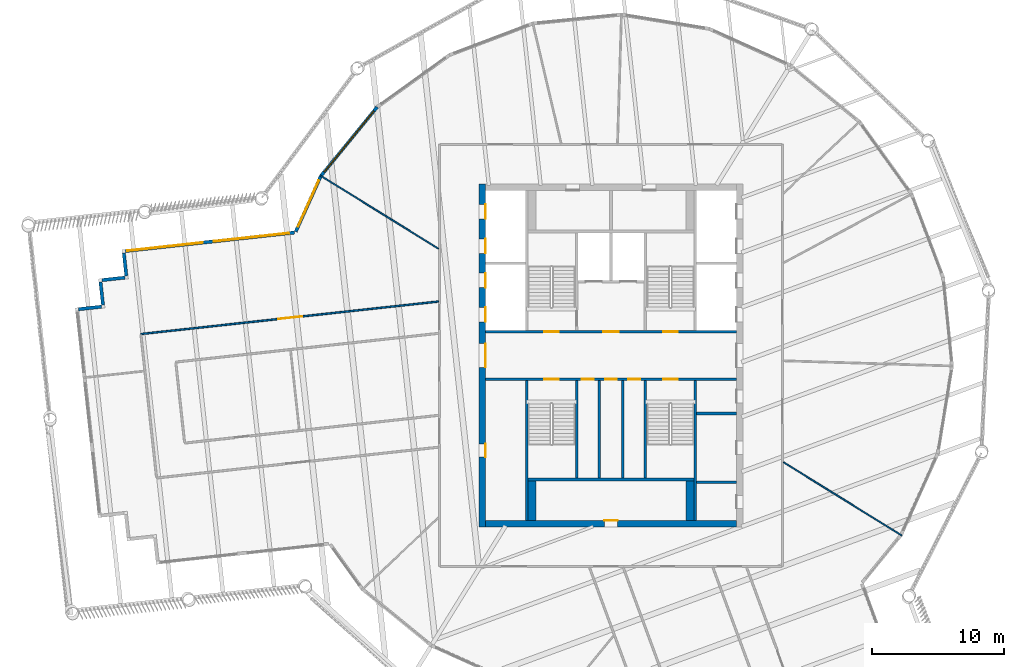
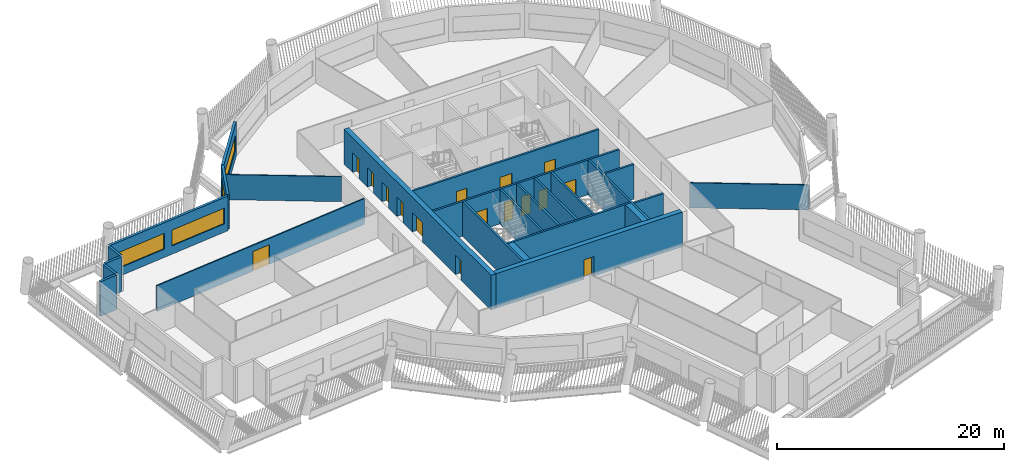
# One storey, part 4 of 14: 25 walls, 16 doors, 4 windows, 20 openings.
"""IFC4 building model written with IfcOpenShell, lengths in metres."""

from ifc_helpers import new_model, si_unit, direction, frame, frame_2d, origin, place, context, subcontext, project, spatial, rectangle, extrude, material, layer, layer_set, type_object, element, fill, save


model = new_model("IFC4")

# Units and contexts
model_context = context("Model", 3, precision=1e-05, world=origin(), true_north=direction((0.0, 1.0)))
body_context = subcontext(model_context, "Body", "Model", "MODEL_VIEW")
ifc_project = project(units=[si_unit("LENGTHUNIT", "METRE"), si_unit("AREAUNIT", "SQUARE_METRE"), si_unit("VOLUMEUNIT", "CUBIC_METRE"), si_unit("PLANEANGLEUNIT", "RADIAN"), si_unit("MASSUNIT", "GRAM", prefix="KILO")], contexts=[model_context])

# Site, building, storey
site_placement = place(None, origin())
site = spatial("IfcSite", under=ifc_project, at=site_placement, CompositionType="ELEMENT")
building_placement = place(site_placement, origin())
building = spatial("IfcBuilding", under=site, at=building_placement, Name="Tarsis Ring Headquarters", CompositionType="ELEMENT")
storey_placement = place(building_placement, frame((0.0, 0.0, 311.89990234375)))
storey = spatial("IfcBuildingStorey", under=building, at=storey_placement, Name="L73", CompositionType="ELEMENT", Elevation=311.89990234375)

# Walls
ifc_material_1 = material(Name="Blockwork", Category="masonry")
ifc_layer_1 = layer(ifc_material_1, 0.199951171875)
ifc_layer_set_1 = layer_set([ifc_layer_1], Name="Core blockwork wall 200")
wall_type_1 = type_object("IfcWallType", Name="Core blockwork wall 200", PredefinedType="PARTITIONING", material=ifc_layer_set_1)
for number, where, z_axis, x_axis, name in (
    (1, (6.5, -9.60009765625, 0.0), (0.0, 0.0, 1.0), (1.0, 0.0, 0.0), "Core partition ED1"),
    (2, (6.5, -4.39990234375, 0.0), (0.0, 0.0, 1.0), (1.0, 0.0, 0.0), "Core partition ED3"),
):
    element("IfcWall", number, at=place(storey_placement, frame(where, z_axis=z_axis, x_axis=x_axis)), inside=storey, type_object=wall_type_1, Name=name, PredefinedType="PARTITIONING", context=body_context, shape_type="SweptSolid", body=[
        extrude(rectangle(XDim=3.0, YDim=0.199951171875, at=frame_2d((1.5, 0.0))), origin(), (0.0, 0.0, 1.0), 3.739990234375),
    ])
for number, where, z_axis, x_axis, name in (
    (3, (-0.89990234375, -9.300048828125, 0.0), (0.0, 0.0, 1.0), (0.0, 1.0, 0.0), "Core partition SV1"),
    (4, (0.89990234375, -9.300048828125, 0.0), (0.0, 0.0, 1.0), (0.0, 1.0, 0.0), "Core partition SV2"),
):
    element("IfcWall", number, at=place(storey_placement, frame(where, z_axis=z_axis, x_axis=x_axis)), inside=storey, type_object=wall_type_1, Name=name, PredefinedType="PARTITIONING", context=body_context, shape_type="SweptSolid", body=[
        extrude(rectangle(XDim=7.400146484375, YDim=0.199951171875, at=frame_2d((3.7001953125, 0.0))), origin(), (0.0, 0.0, 1.0), 3.739990234375),
    ])

# Wall, openings, doors
ifc_material_2 = material(Name="Concrete C50/60", Category="concrete")
ifc_layer_2 = layer(ifc_material_2, 0.5)
ifc_layer_set_2 = layer_set([ifc_layer_2], Name="Core wall 500 C50/60")
wall_type_2 = type_object("IfcWallType", Name="Core wall 500 C50/60", PredefinedType="SHEAR", material=ifc_layer_set_2)
wall_1_placement = place(storey_placement, frame((-9.75, -13.0, 0.0), z_axis=(0.0, 0.0, 1.0), x_axis=(0.0, 1.0, 0.0)))
wall_1 = element("IfcWall", 5, at=wall_1_placement, inside=storey, type_object=wall_type_2, Name="Core wall OW", PredefinedType="SHEAR", context=body_context, shape_type="SweptSolid", body=[
    extrude(rectangle(XDim=26.0, YDim=0.5, at=frame_2d((13.0, 0.0))), origin(), (0.0, 0.0, 1.0), 3.739990234375),
])
opening_1_placement = place(wall_1_placement, frame((5.300048828125, 0.0, 0.0)))
opening_1 = element("IfcOpeningElement", 6, at=opening_1_placement, cuts=wall_1, Name="Opening L73-C01", PredefinedType="OPENING", context=body_context, shape_type="SweptSolid", body=[
    extrude(rectangle(XDim=1.0, YDim=2.10009765625, at=frame_2d((0.5, 1.050048828125))), frame((0.0, 0.260009765625, 0.0), z_axis=(0.0, -1.0, 0.0), x_axis=(1.0, 0.0, 0.0)), (0.0, 0.0, 1.0), 0.52001953125),
])
opening_2_placement = place(wall_1_placement, frame((12.10009765625, 0.0, 0.0)))
opening_2 = element("IfcOpeningElement", 7, at=opening_2_placement, cuts=wall_1, Name="Opening L73-C02", PredefinedType="OPENING", context=body_context, shape_type="SweptSolid", body=[
    extrude(rectangle(XDim=1.800048828125, YDim=2.10009765625, at=frame_2d((0.89990234375, 1.050048828125))), frame((0.0, 0.260009765625, 0.0), z_axis=(0.0, -1.0, 0.0), x_axis=(1.0, 0.0, 0.0)), (0.0, 0.0, 1.0), 0.52001953125),
])
opening_3_placement = place(wall_1_placement, frame((15.550048828125, 0.0, 0.0)))
opening_3 = element("IfcOpeningElement", 8, at=opening_3_placement, cuts=wall_1, Name="Opening LD-HR1", PredefinedType="OPENING", context=body_context, shape_type="SweptSolid", body=[
    extrude(rectangle(XDim=1.10009765625, YDim=2.10009765625, at=frame_2d((0.550048828125, 1.050048828125))), frame((0.0, 0.260009765625, 0.0), z_axis=(0.0, -1.0, 0.0), x_axis=(1.0, 0.0, 0.0)), (0.0, 0.0, 1.0), 0.52001953125),
])
opening_4_placement = place(wall_1_placement, frame((18.14990234375, 0.0, 0.0)))
opening_4 = element("IfcOpeningElement", 9, at=opening_4_placement, cuts=wall_1, Name="Opening LD-HR2", PredefinedType="OPENING", context=body_context, shape_type="SweptSolid", body=[
    extrude(rectangle(XDim=1.10009765625, YDim=2.10009765625, at=frame_2d((0.550048828125, 1.050048828125))), frame((0.0, 0.260009765625, 0.0), z_axis=(0.0, -1.0, 0.0), x_axis=(1.0, 0.0, 0.0)), (0.0, 0.0, 1.0), 0.52001953125),
])
opening_5_placement = place(wall_1_placement, frame((20.75, 0.0, 0.0)))
opening_5 = element("IfcOpeningElement", 10, at=opening_5_placement, cuts=wall_1, Name="Opening LD-HR3", PredefinedType="OPENING", context=body_context, shape_type="SweptSolid", body=[
    extrude(rectangle(XDim=1.10009765625, YDim=2.10009765625, at=frame_2d((0.550048828125, 1.050048828125))), frame((0.0, 0.260009765625, 0.0), z_axis=(0.0, -1.0, 0.0), x_axis=(1.0, 0.0, 0.0)), (0.0, 0.0, 1.0), 0.52001953125),
])
opening_6_placement = place(wall_1_placement, frame((23.35009765625, 0.0, 0.0)))
opening_6 = element("IfcOpeningElement", 11, at=opening_6_placement, cuts=wall_1, Name="Opening LD-HR4", PredefinedType="OPENING", context=body_context, shape_type="SweptSolid", body=[
    extrude(rectangle(XDim=1.10009765625, YDim=2.10009765625, at=frame_2d((0.550048828125, 1.050048828125))), frame((0.0, 0.260009765625, 0.0), z_axis=(0.0, -1.0, 0.0), x_axis=(1.0, 0.0, 0.0)), (0.0, 0.0, 1.0), 0.52001953125),
])
ifc_material_3 = material(Name="Steel S355", Category="steel")
door_type_1 = type_object("IfcDoorType", Name="Core entry door 1800x2100", OperationType="DOUBLE_DOOR_SINGLE_SWING", PredefinedType="DOOR", material=ifc_material_3)
door_1_placement = place(opening_2_placement, origin())
door_1 = element("IfcDoor", 12, at=door_1_placement, inside=storey, type_object=door_type_1, Name="Core entry door L73", OperationType="DOUBLE_DOOR_SINGLE_SWING", OverallHeight=2.10009765625, OverallWidth=1.800048828125, PredefinedType="DOOR", context=body_context, shape_type="SweptSolid", body=[
    extrude(rectangle(XDim=1.800048828125, YDim=2.10009765625, at=frame_2d((0.89990234375, 1.050048828125))), frame((0.0, -0.2001953125, 0.0), z_axis=(0.0, -1.0, 0.0), x_axis=(1.0, 0.0, 0.0)), (0.0, 0.0, 1.0), 0.050048828125),
])
fill(opening_2, door_1)
door_type_2 = type_object("IfcDoorType", Name="Core room door 1000x2100", OperationType="SINGLE_SWING_LEFT", PredefinedType="DOOR", material=ifc_material_3)
door_2_placement = place(opening_1_placement, origin())
door_2 = element("IfcDoor", 13, at=door_2_placement, inside=storey, type_object=door_type_2, Name="Core room door L73", OperationType="SINGLE_SWING_LEFT", OverallHeight=2.10009765625, OverallWidth=1.0, PredefinedType="DOOR", context=body_context, shape_type="SweptSolid", body=[
    extrude(rectangle(XDim=1.0, YDim=2.10009765625, at=frame_2d((0.5, 1.050048828125))), frame((0.0, -0.2001953125, 0.0), z_axis=(0.0, -1.0, 0.0), x_axis=(1.0, 0.0, 0.0)), (0.0, 0.0, 1.0), 0.050048828125),
])
fill(opening_1, door_2)
door_type_3 = type_object("IfcDoorType", Name="Landing door 1100x2100", OperationType="SLIDING_TO_LEFT", PredefinedType="DOOR", material=ifc_material_3)
door_3_placement = place(opening_3_placement, origin())
door_3 = element("IfcDoor", 14, at=door_3_placement, inside=storey, type_object=door_type_3, Name="Landing door HR1 L73", OperationType="SLIDING_TO_LEFT", OverallHeight=2.10009765625, OverallWidth=1.10009765625, PredefinedType="DOOR", context=body_context, shape_type="SweptSolid", body=[
    extrude(rectangle(XDim=1.10009765625, YDim=2.10009765625, at=frame_2d((0.550048828125, 1.050048828125))), frame((0.0, -0.2001953125, 0.0), z_axis=(0.0, -1.0, 0.0), x_axis=(1.0, 0.0, 0.0)), (0.0, 0.0, 1.0), 0.050048828125),
])
fill(opening_3, door_3)
door_4_placement = place(opening_4_placement, origin())
door_4 = element("IfcDoor", 15, at=door_4_placement, inside=storey, type_object=door_type_3, Name="Landing door HR2 L73", OperationType="SLIDING_TO_LEFT", OverallHeight=2.10009765625, OverallWidth=1.10009765625, PredefinedType="DOOR", context=body_context, shape_type="SweptSolid", body=[
    extrude(rectangle(XDim=1.10009765625, YDim=2.10009765625, at=frame_2d((0.550048828125, 1.050048828125))), frame((0.0, -0.2001953125, 0.0), z_axis=(0.0, -1.0, 0.0), x_axis=(1.0, 0.0, 0.0)), (0.0, 0.0, 1.0), 0.050048828125),
])
fill(opening_4, door_4)
door_5_placement = place(opening_5_placement, origin())
door_5 = element("IfcDoor", 16, at=door_5_placement, inside=storey, type_object=door_type_3, Name="Landing door HR3 L73", OperationType="SLIDING_TO_LEFT", OverallHeight=2.10009765625, OverallWidth=1.10009765625, PredefinedType="DOOR", context=body_context, shape_type="SweptSolid", body=[
    extrude(rectangle(XDim=1.10009765625, YDim=2.10009765625, at=frame_2d((0.550048828125, 1.050048828125))), frame((0.0, -0.2001953125, 0.0), z_axis=(0.0, -1.0, 0.0), x_axis=(1.0, 0.0, 0.0)), (0.0, 0.0, 1.0), 0.050048828125),
])
fill(opening_5, door_5)
door_6_placement = place(opening_6_placement, origin())
door_6 = element("IfcDoor", 17, at=door_6_placement, inside=storey, type_object=door_type_3, Name="Landing door HR4 L73", OperationType="SLIDING_TO_LEFT", OverallHeight=2.10009765625, OverallWidth=1.10009765625, PredefinedType="DOOR", context=body_context, shape_type="SweptSolid", body=[
    extrude(rectangle(XDim=1.10009765625, YDim=2.10009765625, at=frame_2d((0.550048828125, 1.050048828125))), frame((0.0, -0.2001953125, 0.0), z_axis=(0.0, -1.0, 0.0), x_axis=(1.0, 0.0, 0.0)), (0.0, 0.0, 1.0), 0.050048828125),
])
fill(opening_6, door_6)

# Wall, opening, door
wall_2_placement = place(storey_placement, frame((-9.5, -12.75, 0.0), z_axis=(0.0, 0.0, 1.0), x_axis=(1.0, 0.0, 0.0)))
wall_2 = element("IfcWall", 18, at=wall_2_placement, inside=storey, type_object=wall_type_2, Name="Core wall OS", PredefinedType="SHEAR", context=body_context, shape_type="SweptSolid", body=[
    extrude(rectangle(XDim=19.0, YDim=0.5, at=frame_2d((9.5, 0.0))), origin(), (0.0, 0.0, 1.0), 3.739990234375),
])
opening_7_placement = place(wall_2_placement, frame((9.0, 0.0, 0.0)))
opening_7 = element("IfcOpeningElement", 19, at=opening_7_placement, cuts=wall_2, Name="Opening L73-C17", PredefinedType="OPENING", context=body_context, shape_type="SweptSolid", body=[
    extrude(rectangle(XDim=1.0, YDim=2.10009765625, at=frame_2d((0.5, 1.050048828125))), frame((0.0, 0.260009765625, 0.0), z_axis=(0.0, -1.0, 0.0), x_axis=(1.0, 0.0, 0.0)), (0.0, 0.0, 1.0), 0.52001953125),
])
door_7_placement = place(opening_7_placement, origin())
door_7 = element("IfcDoor", 20, at=door_7_placement, inside=storey, type_object=door_type_2, Name="Core room door L73", OperationType="SINGLE_SWING_LEFT", OverallHeight=2.10009765625, OverallWidth=1.0, PredefinedType="DOOR", context=body_context, shape_type="SweptSolid", body=[
    extrude(rectangle(XDim=1.0, YDim=2.10009765625, at=frame_2d((0.5, 1.050048828125))), frame((0.0, 0.25, 0.0), z_axis=(0.0, -1.0, 0.0), x_axis=(1.0, 0.0, 0.0)), (0.0, 0.0, 1.0), 0.050048828125),
])
fill(opening_7, door_7)

# Walls
ifc_material_4 = material(Name="Gypsum board on steel studs", Category="steel")
ifc_layer_3 = layer(ifc_material_4, 0.10009765625)
ifc_layer_set_3 = layer_set([ifc_layer_3], Name="FL partition 100 unrated")
wall_type_3 = type_object("IfcWallType", Name="FL partition 100 unrated", PredefinedType="PARTITIONING", material=ifc_layer_set_3)
for number, where, z_axis, x_axis, name in (
    (21, (13.076416015625, -8.09521484375, 0.0), (0.0, 0.0, 1.0), (0.850268100537, -0.526349842984, 0.0), "Partition PW3"),
    (22, (-22.0625, 13.657958984375, 0.0), (0.0, 0.0, 1.0), (0.850268100537, -0.526349842984, 0.0), "Partition PW3"),
):
    element("IfcWall", number, at=place(storey_placement, frame(where, z_axis=z_axis, x_axis=x_axis)), inside=storey, type_object=wall_type_3, Name=name, PredefinedType="PARTITIONING", context=body_context, shape_type="SweptSolid", body=[
        extrude(rectangle(XDim=10.568603515625, YDim=0.10009765625, at=frame_2d((5.2841796875, 0.0))), origin(), (0.0, 0.0, 1.0), 2.7001953125),
    ])

# Wall, opening, door
ifc_layer_4 = layer(ifc_material_4, 0.125)
ifc_layer_set_4 = layer_set([ifc_layer_4], Name="FL partition 125 EI 60 H2770")
wall_type_4 = type_object("IfcWallType", Name="FL partition 125 EI 60 H2770", PredefinedType="PARTITIONING", material=ifc_layer_set_4)
wall_3_placement = place(storey_placement, frame((-35.647705078125, 1.625, 0.0), z_axis=(0.0, 0.0, 1.0), x_axis=(0.994075176592, 0.108694725191, 0.0)))
wall_3 = element("IfcWall", 23, at=wall_3_placement, inside=storey, type_object=wall_type_4, Name="Partition PW1", PredefinedType="PARTITIONING", context=body_context, shape_type="SweptSolid", body=[
    extrude(rectangle(XDim=22.712646484375, YDim=0.125, at=frame_2d((11.3564453125, 0.0))), origin(), (0.0, 0.0, 1.0), 2.77001953125),
])
opening_8_placement = place(wall_3_placement, frame((10.491455078125, 0.0, 0.0)))
opening_8 = element("IfcOpeningElement", 24, at=opening_8_placement, cuts=wall_3, Name="Opening D73.02", PredefinedType="OPENING", context=body_context, shape_type="SweptSolid", body=[
    extrude(rectangle(XDim=1.800048828125, YDim=2.10009765625, at=frame_2d((0.89990234375, 1.050048828125))), frame((0.0, 0.072509765625, 0.0), z_axis=(0.0, -1.0, 0.0), x_axis=(1.0, 0.0, 0.0)), (0.0, 0.0, 1.0), 0.14501953125),
])
ifc_material_5 = material(Name="Fire-rated timber door leaf in steel frame", Category="steel")
door_type_4 = type_object("IfcDoorType", Name="FL door FD60-1800", OperationType="DOUBLE_DOOR_SINGLE_SWING", PredefinedType="DOOR", material=ifc_material_5)
door_8_placement = place(opening_8_placement, origin())
door_8 = element("IfcDoor", 25, at=door_8_placement, inside=storey, type_object=door_type_4, Name="Door D73.02", OperationType="DOUBLE_DOOR_SINGLE_SWING", OverallHeight=2.10009765625, OverallWidth=1.800048828125, PredefinedType="DOOR", context=body_context, shape_type="SweptSolid", body=[
    extrude(rectangle(XDim=1.800048828125, YDim=2.10009765625, at=frame_2d((0.89990234375, 1.050048828125))), frame((0.0, 0.02490234375, 0.0), z_axis=(0.0, -1.0, 0.0), x_axis=(1.0, 0.0, 0.0)), (0.0, 0.0, 1.0), 0.050048828125),
])
fill(opening_8, door_8)

# Wall, opening, window
ifc_material_6 = material(Name="Terracotta clad insulated panel wall", Category="masonry")
ifc_layer_5 = layer(ifc_material_6, 0.25)
ifc_layer_set_5 = layer_set([ifc_layer_5], Name="Facade wall terracotta panel 250")
wall_type_5 = type_object("IfcWallType", Name="Facade wall terracotta panel 250", PredefinedType="STANDARD", material=ifc_layer_set_5)
wall_4_placement = place(storey_placement, frame((-17.735595703125, 18.836181640625, 0.0), z_axis=(0.0, 0.0, 1.0), x_axis=(-0.632842118957, -0.774280861493, 0.0)))
wall_4 = element("IfcWall", 26, at=wall_4_placement, inside=storey, type_object=wall_type_5, Name="External wall L73-29", PredefinedType="STANDARD", context=body_context, shape_type="SweptSolid", body=[
    extrude(rectangle(XDim=6.721435546875, YDim=0.25, at=frame_2d((3.36083984375, 0.0))), origin(), (0.0, 0.0, 1.0), 3.739990234375),
])
opening_9_placement = place(wall_4_placement, frame((0.3857421875, 0.0, 0.89990234375)))
opening_9 = element("IfcOpeningElement", 27, at=opening_9_placement, cuts=wall_4, Name="Opening WN07", PredefinedType="OPENING", context=body_context, shape_type="SweptSolid", body=[
    extrude(rectangle(XDim=5.949951171875, YDim=1.699951171875, at=frame_2d((2.97509765625, 0.85009765625))), frame((0.0, 0.135009765625, 0.0), z_axis=(0.0, -1.0, 0.0), x_axis=(1.0, 0.0, 0.0)), (0.0, 0.0, 1.0), 0.27001953125),
])
ifc_material_7 = material(Name="Aluminium framed double glazing", Category="aluminium")
window_type_1 = type_object("IfcWindowType", Name="Facade window 5950 x 1700", PartitioningType="SINGLE_PANEL", PredefinedType="WINDOW", material=ifc_material_7)
window_1_placement = place(opening_9_placement, origin())
window_1 = element("IfcWindow", 28, at=window_1_placement, inside=storey, type_object=window_type_1, Name="Window L73-29.1", OverallHeight=1.699951171875, OverallWidth=5.949951171875, PartitioningType="SINGLE_PANEL", PredefinedType="WINDOW", context=body_context, shape_type="SweptSolid", body=[
    extrude(rectangle(XDim=5.949951171875, YDim=1.699951171875, at=frame_2d((2.97509765625, 0.85009765625))), frame((0.0, 0.030029296875, 0.0), z_axis=(0.0, -1.0, 0.0), x_axis=(1.0, 0.0, 0.0)), (0.0, 0.0, 1.0), 0.06005859375),
])
fill(opening_9, window_1)

wall_5_placement = place(storey_placement, frame((-22.00634765625, 13.60400390625, 0.0), z_axis=(0.0, 0.0, 1.0), x_axis=(-0.410900994456, -0.911679972773, 0.0)))
wall_5 = element("IfcWall", 29, at=wall_5_placement, inside=storey, type_object=wall_type_5, Name="External wall L73-30", PredefinedType="STANDARD", context=body_context, shape_type="SweptSolid", body=[
    extrude(rectangle(XDim=4.617919921875, YDim=0.25, at=frame_2d((2.30908203125, 0.0))), origin(), (0.0, 0.0, 1.0), 3.739990234375),
])
opening_10_placement = place(wall_5_placement, frame((0.367431640625, 0.0, 0.89990234375)))
opening_10 = element("IfcOpeningElement", 30, at=opening_10_placement, cuts=wall_5, Name="Opening WN02", PredefinedType="OPENING", context=body_context, shape_type="SweptSolid", body=[
    extrude(rectangle(XDim=3.85009765625, YDim=1.699951171875, at=frame_2d((1.925048828125, 0.85009765625))), frame((0.0, 0.135009765625, 0.0), z_axis=(0.0, -1.0, 0.0), x_axis=(1.0, 0.0, 0.0)), (0.0, 0.0, 1.0), 0.27001953125),
])
window_type_2 = type_object("IfcWindowType", Name="Facade window 3850 x 1700", PartitioningType="SINGLE_PANEL", PredefinedType="WINDOW", material=ifc_material_7)
window_2_placement = place(opening_10_placement, origin())
window_2 = element("IfcWindow", 31, at=window_2_placement, inside=storey, type_object=window_type_2, Name="Window L73-30.1", OverallHeight=1.699951171875, OverallWidth=3.85009765625, PartitioningType="SINGLE_PANEL", PredefinedType="WINDOW", context=body_context, shape_type="SweptSolid", body=[
    extrude(rectangle(XDim=3.85009765625, YDim=1.699951171875, at=frame_2d((1.925048828125, 0.85009765625))), frame((0.0, 0.030029296875, 0.0), z_axis=(0.0, -1.0, 0.0), x_axis=(1.0, 0.0, 0.0)), (0.0, 0.0, 1.0), 0.06005859375),
])
fill(opening_10, window_2)

# Wall, openings, windows
wall_6_placement = place(storey_placement, frame((-24.004150390625, 9.321044921875, 0.0), z_axis=(0.0, 0.0, 1.0), x_axis=(-0.994076740121, -0.108680424872, 0.0)))
wall_6 = element("IfcWall", 32, at=wall_6_placement, inside=storey, type_object=wall_type_5, Name="External wall L73-31", PredefinedType="STANDARD", context=body_context, shape_type="SweptSolid", body=[
    extrude(rectangle(XDim=12.901123046875, YDim=0.25, at=frame_2d((6.45068359375, 0.0))), origin(), (0.0, 0.0, 1.0), 3.739990234375),
])
opening_11_placement = place(wall_6_placement, frame((0.412841796875, 0.0, 0.89990234375)))
opening_11 = element("IfcOpeningElement", 33, at=opening_11_placement, cuts=wall_6, Name="Opening WN06", PredefinedType="OPENING", context=body_context, shape_type="SweptSolid", body=[
    extrude(rectangle(XDim=5.75, YDim=1.699951171875, at=frame_2d((2.875, 0.85009765625))), frame((0.0, 0.135009765625, 0.0), z_axis=(0.0, -1.0, 0.0), x_axis=(1.0, 0.0, 0.0)), (0.0, 0.0, 1.0), 0.27001953125),
])
opening_12_placement = place(wall_6_placement, frame((6.988525390625, 0.0, 0.89990234375)))
opening_12 = element("IfcOpeningElement", 34, at=opening_12_placement, cuts=wall_6, Name="Opening WN06", PredefinedType="OPENING", context=body_context, shape_type="SweptSolid", body=[
    extrude(rectangle(XDim=5.75, YDim=1.699951171875, at=frame_2d((2.875, 0.85009765625))), frame((0.0, 0.135009765625, 0.0), z_axis=(0.0, -1.0, 0.0), x_axis=(1.0, 0.0, 0.0)), (0.0, 0.0, 1.0), 0.27001953125),
])
window_type_3 = type_object("IfcWindowType", Name="Facade window 5750 x 1700", PartitioningType="SINGLE_PANEL", PredefinedType="WINDOW", material=ifc_material_7)
window_3_placement = place(opening_11_placement, origin())
window_3 = element("IfcWindow", 35, at=window_3_placement, inside=storey, type_object=window_type_3, Name="Window L73-31.1", OverallHeight=1.699951171875, OverallWidth=5.75, PartitioningType="SINGLE_PANEL", PredefinedType="WINDOW", context=body_context, shape_type="SweptSolid", body=[
    extrude(rectangle(XDim=5.75, YDim=1.699951171875, at=frame_2d((2.875, 0.85009765625))), frame((0.0, 0.030029296875, 0.0), z_axis=(0.0, -1.0, 0.0), x_axis=(1.0, 0.0, 0.0)), (0.0, 0.0, 1.0), 0.06005859375),
])
fill(opening_11, window_3)
window_4_placement = place(opening_12_placement, origin())
window_4 = element("IfcWindow", 36, at=window_4_placement, inside=storey, type_object=window_type_3, Name="Window L73-31.2", OverallHeight=1.699951171875, OverallWidth=5.75, PartitioningType="SINGLE_PANEL", PredefinedType="WINDOW", context=body_context, shape_type="SweptSolid", body=[
    extrude(rectangle(XDim=5.75, YDim=1.699951171875, at=frame_2d((2.875, 0.85009765625))), frame((0.0, 0.030029296875, 0.0), z_axis=(0.0, -1.0, 0.0), x_axis=(1.0, 0.0, 0.0)), (0.0, 0.0, 1.0), 0.06005859375),
])
fill(opening_12, window_4)

# Walls
wall_7_placement = place(storey_placement, frame((-36.939697265625, 7.781005859375, 0.0), z_axis=(0.0, 0.0, 1.0), x_axis=(0.108808438717, -0.994062736282, 0.0)))
element("IfcWall", 37, at=wall_7_placement, inside=storey, type_object=wall_type_5, Name="External wall L73-32", PredefinedType="STANDARD", context=body_context, shape_type="SweptSolid", body=[
    extrude(rectangle(XDim=1.750244140625, YDim=0.25, at=frame_2d((0.875, 0.0))), origin(), (0.0, 0.0, 1.0), 3.739990234375),
])
for number, where, z_axis, x_axis, name in (
    (38, (-36.860107421875, 5.903564453125, 0.0), (0.0, 0.0, 1.0), (-0.994076167652, -0.108685660997, 0.0), "External wall L73-33"),
    (39, (-38.71044921875, 5.575439453125, 0.0), (0.0, 0.0, 1.0), (0.108685660997, -0.994076167652, 0.0), "External wall L73-34"),
    (40, (-38.630859375, 3.697998046875, 0.0), (0.0, 0.0, 1.0), (-0.994076167652, -0.108685660997, 0.0), "External wall L73-35"),
):
    element("IfcWall", number, at=place(storey_placement, frame(where, z_axis=z_axis, x_axis=x_axis)), inside=storey, type_object=wall_type_5, Name=name, PredefinedType="STANDARD", context=body_context, shape_type="SweptSolid", body=[
        extrude(rectangle(XDim=1.749755859375, YDim=0.25, at=frame_2d((0.875, 0.0))), origin(), (0.0, 0.0, 1.0), 3.739990234375),
    ])
ifc_material_8 = material(Name="Concrete C32/40", Category="concrete")
ifc_layer_6 = layer(ifc_material_8, 0.60009765625)
ifc_layer_set_6 = layer_set([ifc_layer_6], Name="Shaft end wall 600 C32/40")
wall_type_6 = type_object("IfcWallType", Name="Shaft end wall 600 C32/40", PredefinedType="SOLIDWALL", material=ifc_layer_set_6)
for number, where, z_axis, x_axis, name in (
    (41, (-6.0, -12.5, 0.0), (0.0, 0.0, 1.0), (0.0, 1.0, 0.0), "Core shaft wall SNE1"),
    (42, (6.0, -12.5, 0.0), (0.0, 0.0, 1.0), (0.0, 1.0, 0.0), "Core shaft wall SNE2"),
):
    element("IfcWall", number, at=place(storey_placement, frame(where, z_axis=z_axis, x_axis=x_axis)), inside=storey, type_object=wall_type_6, Name=name, PredefinedType="SOLIDWALL", context=body_context, shape_type="SweptSolid", body=[
        extrude(rectangle(XDim=3.0, YDim=0.60009765625, at=frame_2d((1.5, 0.0))), origin(), (0.0, 0.0, 1.0), 3.739990234375),
    ])

# Wall, openings, doors
ifc_layer_7 = layer(ifc_material_8, 0.199951171875)
ifc_layer_set_7 = layer_set([ifc_layer_7], Name="Shaft wall 200 C32/40")
wall_type_7 = type_object("IfcWallType", Name="Shaft wall 200 C32/40", PredefinedType="SOLIDWALL", material=ifc_layer_set_7)
wall_8_placement = place(storey_placement, frame((-9.5, 1.800048828125, 0.0), z_axis=(0.0, 0.0, 1.0), x_axis=(1.0, 0.0, 0.0)))
wall_8 = element("IfcWall", 43, at=wall_8_placement, inside=storey, type_object=wall_type_7, Name="Core shaft wall CN", PredefinedType="SOLIDWALL", context=body_context, shape_type="SweptSolid", body=[
    extrude(rectangle(XDim=19.0, YDim=0.199951171875, at=frame_2d((9.5, 0.0))), origin(), (0.0, 0.0, 1.0), 3.739990234375),
])
opening_13_placement = place(wall_8_placement, frame((4.449951171875, 0.0, 0.0)))
opening_13 = element("IfcOpeningElement", 44, at=opening_13_placement, cuts=wall_8, Name="Opening L73-C18", PredefinedType="OPENING", context=body_context, shape_type="SweptSolid", body=[
    extrude(rectangle(XDim=1.10009765625, YDim=2.10009765625, at=frame_2d((0.550048828125, 1.050048828125))), frame((0.0, 0.10986328125, 0.0), z_axis=(0.0, -1.0, 0.0), x_axis=(1.0, 0.0, 0.0)), (0.0, 0.0, 1.0), 0.219970703125),
])
opening_14_placement = place(wall_8_placement, frame((8.89990234375, 0.0, 0.0)))
opening_14 = element("IfcOpeningElement", 45, at=opening_14_placement, cuts=wall_8, Name="Opening L73-C19", PredefinedType="OPENING", context=body_context, shape_type="SweptSolid", body=[
    extrude(rectangle(XDim=1.199951171875, YDim=2.10009765625, at=frame_2d((0.60009765625, 1.050048828125))), frame((0.0, 0.10986328125, 0.0), z_axis=(0.0, -1.0, 0.0), x_axis=(1.0, 0.0, 0.0)), (0.0, 0.0, 1.0), 0.219970703125),
])
opening_15_placement = place(wall_8_placement, frame((13.449951171875, 0.0, 0.0)))
opening_15 = element("IfcOpeningElement", 46, at=opening_15_placement, cuts=wall_8, Name="Opening L73-C20", PredefinedType="OPENING", context=body_context, shape_type="SweptSolid", body=[
    extrude(rectangle(XDim=1.10009765625, YDim=2.10009765625, at=frame_2d((0.550048828125, 1.050048828125))), frame((0.0, 0.10986328125, 0.0), z_axis=(0.0, -1.0, 0.0), x_axis=(1.0, 0.0, 0.0)), (0.0, 0.0, 1.0), 0.219970703125),
])
door_type_5 = type_object("IfcDoorType", Name="Firefighting lobby door 1200x2100", OperationType="DOUBLE_DOOR_SINGLE_SWING", PredefinedType="DOOR", material=ifc_material_3)
door_9_placement = place(opening_14_placement, origin())
door_9 = element("IfcDoor", 47, at=door_9_placement, inside=storey, type_object=door_type_5, Name="Firefighting lobby door L73", OperationType="DOUBLE_DOOR_SINGLE_SWING", OverallHeight=2.10009765625, OverallWidth=1.199951171875, PredefinedType="DOOR", context=body_context, shape_type="SweptSolid", body=[
    extrude(rectangle(XDim=1.199951171875, YDim=2.10009765625, at=frame_2d((0.60009765625, 1.050048828125))), frame((0.0, 0.02490234375, 0.0), z_axis=(0.0, -1.0, 0.0), x_axis=(1.0, 0.0, 0.0)), (0.0, 0.0, 1.0), 0.050048828125),
])
fill(opening_14, door_9)
door_type_6 = type_object("IfcDoorType", Name="Stair door 1100x2100", OperationType="SINGLE_SWING_LEFT", PredefinedType="DOOR", material=ifc_material_3)
door_10_placement = place(opening_13_placement, origin())
door_10 = element("IfcDoor", 48, at=door_10_placement, inside=storey, type_object=door_type_6, Name="Stair door L73", OperationType="SINGLE_SWING_LEFT", OverallHeight=2.10009765625, OverallWidth=1.10009765625, PredefinedType="DOOR", context=body_context, shape_type="SweptSolid", body=[
    extrude(rectangle(XDim=1.10009765625, YDim=2.10009765625, at=frame_2d((0.550048828125, 1.050048828125))), frame((0.0, 0.02490234375, 0.0), z_axis=(0.0, -1.0, 0.0), x_axis=(1.0, 0.0, 0.0)), (0.0, 0.0, 1.0), 0.050048828125),
])
fill(opening_13, door_10)
door_11_placement = place(opening_15_placement, origin())
door_11 = element("IfcDoor", 49, at=door_11_placement, inside=storey, type_object=door_type_6, Name="Stair door L73", OperationType="SINGLE_SWING_LEFT", OverallHeight=2.10009765625, OverallWidth=1.10009765625, PredefinedType="DOOR", context=body_context, shape_type="SweptSolid", body=[
    extrude(rectangle(XDim=1.10009765625, YDim=2.10009765625, at=frame_2d((0.550048828125, 1.050048828125))), frame((0.0, 0.02490234375, 0.0), z_axis=(0.0, -1.0, 0.0), x_axis=(1.0, 0.0, 0.0)), (0.0, 0.0, 1.0), 0.050048828125),
])
fill(opening_15, door_11)

wall_9_placement = place(storey_placement, frame((-9.5, -1.800048828125, 0.0), z_axis=(0.0, 0.0, 1.0), x_axis=(1.0, 0.0, 0.0)))
wall_9 = element("IfcWall", 50, at=wall_9_placement, inside=storey, type_object=wall_type_7, Name="Core shaft wall CS", PredefinedType="SOLIDWALL", context=body_context, shape_type="SweptSolid", body=[
    extrude(rectangle(XDim=19.0, YDim=0.199951171875, at=frame_2d((9.5, 0.0))), origin(), (0.0, 0.0, 1.0), 3.739990234375),
])
opening_16_placement = place(wall_9_placement, frame((4.449951171875, 0.0, 0.0)))
opening_16 = element("IfcOpeningElement", 51, at=opening_16_placement, cuts=wall_9, Name="Opening L73-C21", PredefinedType="OPENING", context=body_context, shape_type="SweptSolid", body=[
    extrude(rectangle(XDim=1.10009765625, YDim=2.10009765625, at=frame_2d((0.550048828125, 1.050048828125))), frame((0.0, 0.10986328125, 0.0), z_axis=(0.0, -1.0, 0.0), x_axis=(1.0, 0.0, 0.0)), (0.0, 0.0, 1.0), 0.219970703125),
])
opening_17_placement = place(wall_9_placement, frame((7.300048828125, 0.0, 0.0)))
opening_17 = element("IfcOpeningElement", 52, at=opening_17_placement, cuts=wall_9, Name="Opening L73-C22", PredefinedType="OPENING", context=body_context, shape_type="SweptSolid", body=[
    extrude(rectangle(XDim=0.89990234375, YDim=2.10009765625, at=frame_2d((0.449951171875, 1.050048828125))), frame((0.0, 0.10986328125, 0.0), z_axis=(0.0, -1.0, 0.0), x_axis=(1.0, 0.0, 0.0)), (0.0, 0.0, 1.0), 0.219970703125),
])
opening_18_placement = place(wall_9_placement, frame((9.050048828125, 0.0, 0.0)))
opening_18 = element("IfcOpeningElement", 53, at=opening_18_placement, cuts=wall_9, Name="Opening L73-C23", PredefinedType="OPENING", context=body_context, shape_type="SweptSolid", body=[
    extrude(rectangle(XDim=0.89990234375, YDim=2.10009765625, at=frame_2d((0.449951171875, 1.050048828125))), frame((0.0, 0.10986328125, 0.0), z_axis=(0.0, -1.0, 0.0), x_axis=(1.0, 0.0, 0.0)), (0.0, 0.0, 1.0), 0.219970703125),
])
opening_19_placement = place(wall_9_placement, frame((10.800048828125, 0.0, 0.0)))
opening_19 = element("IfcOpeningElement", 54, at=opening_19_placement, cuts=wall_9, Name="Opening L73-C24", PredefinedType="OPENING", context=body_context, shape_type="SweptSolid", body=[
    extrude(rectangle(XDim=0.89990234375, YDim=2.10009765625, at=frame_2d((0.449951171875, 1.050048828125))), frame((0.0, 0.10986328125, 0.0), z_axis=(0.0, -1.0, 0.0), x_axis=(1.0, 0.0, 0.0)), (0.0, 0.0, 1.0), 0.219970703125),
])
opening_20_placement = place(wall_9_placement, frame((13.449951171875, 0.0, 0.0)))
opening_20 = element("IfcOpeningElement", 55, at=opening_20_placement, cuts=wall_9, Name="Opening L73-C25", PredefinedType="OPENING", context=body_context, shape_type="SweptSolid", body=[
    extrude(rectangle(XDim=1.10009765625, YDim=2.10009765625, at=frame_2d((0.550048828125, 1.050048828125))), frame((0.0, 0.10986328125, 0.0), z_axis=(0.0, -1.0, 0.0), x_axis=(1.0, 0.0, 0.0)), (0.0, 0.0, 1.0), 0.219970703125),
])
door_12_placement = place(opening_16_placement, origin())
door_12 = element("IfcDoor", 56, at=door_12_placement, inside=storey, type_object=door_type_6, Name="Stair door L73", OperationType="SINGLE_SWING_LEFT", OverallHeight=2.10009765625, OverallWidth=1.10009765625, PredefinedType="DOOR", context=body_context, shape_type="SweptSolid", body=[
    extrude(rectangle(XDim=1.10009765625, YDim=2.10009765625, at=frame_2d((0.550048828125, 1.050048828125))), frame((0.0, 0.02490234375, 0.0), z_axis=(0.0, -1.0, 0.0), x_axis=(1.0, 0.0, 0.0)), (0.0, 0.0, 1.0), 0.050048828125),
])
fill(opening_16, door_12)
door_13_placement = place(opening_20_placement, origin())
door_13 = element("IfcDoor", 57, at=door_13_placement, inside=storey, type_object=door_type_6, Name="Stair door L73", OperationType="SINGLE_SWING_LEFT", OverallHeight=2.10009765625, OverallWidth=1.10009765625, PredefinedType="DOOR", context=body_context, shape_type="SweptSolid", body=[
    extrude(rectangle(XDim=1.10009765625, YDim=2.10009765625, at=frame_2d((0.550048828125, 1.050048828125))), frame((0.0, 0.02490234375, 0.0), z_axis=(0.0, -1.0, 0.0), x_axis=(1.0, 0.0, 0.0)), (0.0, 0.0, 1.0), 0.050048828125),
])
fill(opening_20, door_13)
door_type_7 = type_object("IfcDoorType", Name="WC door 900x2100", OperationType="SINGLE_SWING_LEFT", PredefinedType="DOOR", material=ifc_material_3)
door_14_placement = place(opening_17_placement, origin())
door_14 = element("IfcDoor", 58, at=door_14_placement, inside=storey, type_object=door_type_7, Name="WC door L73", OperationType="SINGLE_SWING_LEFT", OverallHeight=2.10009765625, OverallWidth=0.89990234375, PredefinedType="DOOR", context=body_context, shape_type="SweptSolid", body=[
    extrude(rectangle(XDim=0.89990234375, YDim=2.10009765625, at=frame_2d((0.449951171875, 1.050048828125))), frame((0.0, 0.02490234375, 0.0), z_axis=(0.0, -1.0, 0.0), x_axis=(1.0, 0.0, 0.0)), (0.0, 0.0, 1.0), 0.050048828125),
])
fill(opening_17, door_14)
door_15_placement = place(opening_18_placement, origin())
door_15 = element("IfcDoor", 59, at=door_15_placement, inside=storey, type_object=door_type_7, Name="WC door L73", OperationType="SINGLE_SWING_LEFT", OverallHeight=2.10009765625, OverallWidth=0.89990234375, PredefinedType="DOOR", context=body_context, shape_type="SweptSolid", body=[
    extrude(rectangle(XDim=0.89990234375, YDim=2.10009765625, at=frame_2d((0.449951171875, 1.050048828125))), frame((0.0, 0.02490234375, 0.0), z_axis=(0.0, -1.0, 0.0), x_axis=(1.0, 0.0, 0.0)), (0.0, 0.0, 1.0), 0.050048828125),
])
fill(opening_18, door_15)
door_16_placement = place(opening_19_placement, origin())
door_16 = element("IfcDoor", 60, at=door_16_placement, inside=storey, type_object=door_type_7, Name="WC door L73", OperationType="SINGLE_SWING_LEFT", OverallHeight=2.10009765625, OverallWidth=0.89990234375, PredefinedType="DOOR", context=body_context, shape_type="SweptSolid", body=[
    extrude(rectangle(XDim=0.89990234375, YDim=2.10009765625, at=frame_2d((0.449951171875, 1.050048828125))), frame((0.0, 0.02490234375, 0.0), z_axis=(0.0, -1.0, 0.0), x_axis=(1.0, 0.0, 0.0)), (0.0, 0.0, 1.0), 0.050048828125),
])
fill(opening_19, door_16)

# Walls
for number, where, z_axis, x_axis, name in (
    (61, (-6.39990234375, -12.5, 0.0), (0.0, 0.0, 1.0), (0.0, 1.0, 0.0), "Core shaft wall WB1"),
    (62, (6.39990234375, -12.5, 0.0), (0.0, 0.0, 1.0), (0.0, 1.0, 0.0), "Core shaft wall EB1"),
):
    element("IfcWall", number, at=place(storey_placement, frame(where, z_axis=z_axis, x_axis=x_axis)), inside=storey, type_object=wall_type_7, Name=name, PredefinedType="SOLIDWALL", context=body_context, shape_type="SweptSolid", body=[
        extrude(rectangle(XDim=10.60009765625, YDim=0.199951171875, at=frame_2d((5.300048828125, 0.0))), origin(), (0.0, 0.0, 1.0), 3.739990234375),
    ])
wall_10_placement = place(storey_placement, frame((-6.300048828125, -9.39990234375, 0.0), z_axis=(0.0, 0.0, 1.0), x_axis=(1.0, 0.0, 0.0)))
element("IfcWall", 63, at=wall_10_placement, inside=storey, type_object=wall_type_7, Name="Core shaft wall SB", PredefinedType="SOLIDWALL", context=body_context, shape_type="SweptSolid", body=[
    extrude(rectangle(XDim=12.60009765625, YDim=0.199951171875, at=frame_2d((6.300048828125, 0.0))), origin(), (0.0, 0.0, 1.0), 3.739990234375),
])
for number, where, z_axis, x_axis, name in (
    (64, (-2.60009765625, -9.300048828125, 0.0), (0.0, 0.0, 1.0), (0.0, 1.0, 0.0), "Core shaft wall SW3"),
    (65, (2.60009765625, -9.300048828125, 0.0), (0.0, 0.0, 1.0), (0.0, 1.0, 0.0), "Core shaft wall SW4"),
):
    element("IfcWall", number, at=place(storey_placement, frame(where, z_axis=z_axis, x_axis=x_axis)), inside=storey, type_object=wall_type_7, Name=name, PredefinedType="SOLIDWALL", context=body_context, shape_type="SweptSolid", body=[
        extrude(rectangle(XDim=7.400146484375, YDim=0.199951171875, at=frame_2d((3.7001953125, 0.0))), origin(), (0.0, 0.0, 1.0), 3.739990234375),
    ])

save(model, "model.ifc")
